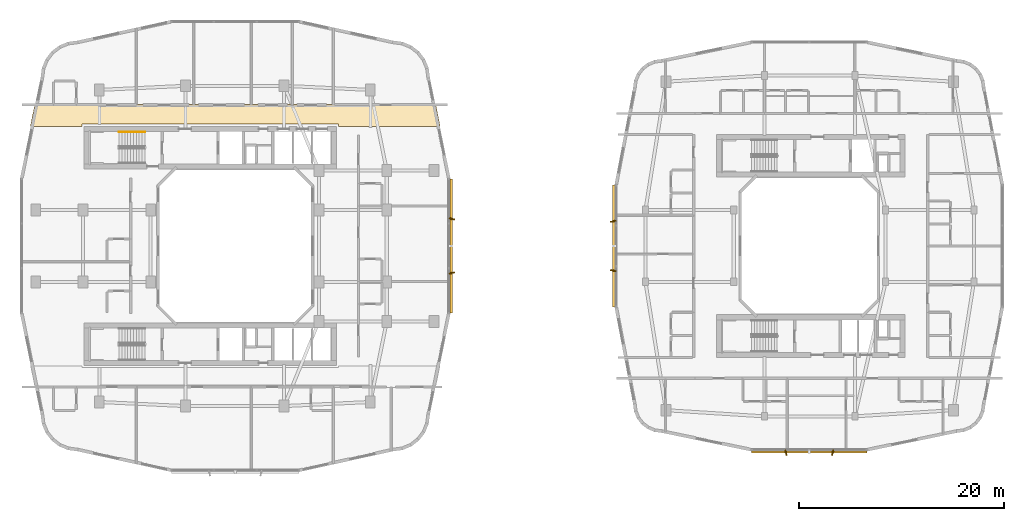
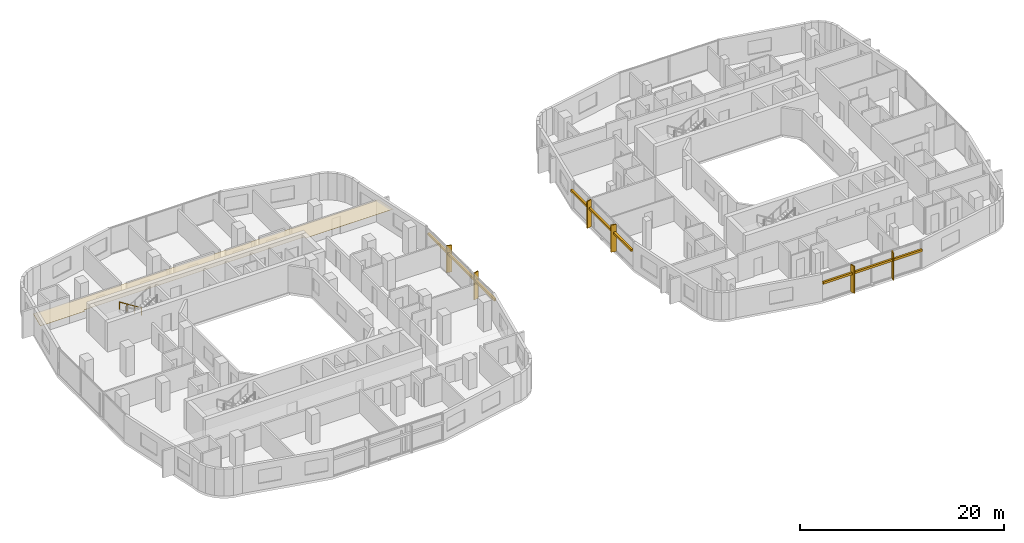
# One storey, part 26 of 27: 9 shading devices, 1 covering, 1 railing.
"""IFC4 building model written with IfcOpenShell, lengths in metres."""

from ifc_helpers import new_model, si_unit, derived_unit, direction, frame, origin, origin_2d, place, context, subcontext, project, spatial, polyline, rectangle, circle, outline, extrude, material, layer, layer_set, type_object, element, save


model = new_model("IFC4")

# Units and contexts
model_context = context("Model", 3, precision=1e-05, world=origin(), true_north=direction((0.0, 1.0)))
body_context = subcontext(model_context, "Body", "Model", "MODEL_VIEW")
ifc_project = project(units=[si_unit("LENGTHUNIT", "METRE"), si_unit("AREAUNIT", "SQUARE_METRE"), si_unit("VOLUMEUNIT", "CUBIC_METRE"), si_unit("PLANEANGLEUNIT", "RADIAN"), si_unit("MASSUNIT", "GRAM", prefix="KILO"), derived_unit("THERMALTRANSMITTANCEUNIT", [(si_unit("POWERUNIT", "WATT"), 1), (si_unit("LENGTHUNIT", "METRE"), -2), (si_unit("THERMODYNAMICTEMPERATUREUNIT", "KELVIN"), -1)])], contexts=[model_context])

# Site, building, storey
site_placement = place(None, origin())
site = spatial("IfcSite", under=ifc_project, at=site_placement, CompositionType="ELEMENT")
building_placement = place(site_placement, origin())
building = spatial("IfcBuilding", under=site, at=building_placement, Name="Kivonza Crest Hotel", CompositionType="ELEMENT")
storey_placement = place(building_placement, frame((0.0, 0.0, 76.5)))
storey = spatial("IfcBuildingStorey", under=building, at=storey_placement, Name="L20", CompositionType="ELEMENT", Elevation=76.5)

# Covering
ifc_material_1 = material(Name="Mineral-fibre acoustic ceiling tile", Category="gypsum")
ifc_layer = layer(ifc_material_1, 0.02490234375)
ifc_layer_set = layer_set([ifc_layer], Name="Mineral-fibre acoustic ceiling tile")
covering_type = type_object("IfcCoveringType", Name="CV-CEIL-ACOU", PredefinedType="CEILING", material=ifc_layer_set)
covering_placement = place(storey_placement, frame((0.0, 0.0, 2.449951171875)))
element("IfcCovering", 1, at=covering_placement, inside=storey, type_object=covering_type, Name="L20 Hotel North Guest Corridor suspended ceiling", PredefinedType="CEILING", context=body_context, shape_type="SweptSolid", body=[
    extrude(outline(polyline([(1.506103515625, 38.7900390625), (1.06396484375, 36.6201171875), (6.10009765625, 36.6201171875), (6.10009765625, 36.860107421875), (31.10009765625, 36.860107421875), (31.10009765625, 36.6201171875), (41.01611328125, 36.6201171875), (40.573974609375, 38.7900390625), (1.506103515625, 38.7900390625)])), origin(), (0.0, 0.0, 1.0), 0.025146484375),
])

# Railing
ifc_material_2 = material(Name="Brushed stainless steel handrail", Category="steel")
railing_type = type_object("IfcRailingType", Name="RL-HAND-900", PredefinedType="HANDRAIL", material=ifc_material_2)
railing_placement = place(storey_placement, frame((12.239990234375, 36.110107421875, 0.175048828125)))
element("IfcRailing", 2, at=railing_placement, inside=storey, type_object=railing_type, Name="L20 ST-T1-N stair handrail 1", PredefinedType="HANDRAIL", context=body_context, shape_type="SweptSolid", body=[
    extrude(circle(Radius=0.02392578125, at=origin_2d()), frame((0.0, 0.0, 0.8759765625), z_axis=(-0.848007534815, 0.0, 0.529984170421), x_axis=(0.0, -1.0, 0.0)), (0.0, 0.0, 1.0), 2.9716796875),
    extrude(circle(Radius=0.02099609375, at=origin_2d()), origin(), (0.0, 0.0, 1.0), 0.851806640625),
    extrude(circle(Radius=0.02099609375, at=origin_2d()), frame((-0.840087890625, 0.0, 0.52490234375)), (0.0, 0.0, 1.0), 0.851806640625),
    extrude(circle(Radius=0.02099609375, at=origin_2d()), frame((-1.679931640625, 0.0, 1.050048828125)), (0.0, 0.0, 1.0), 0.851806640625),
    extrude(circle(Radius=0.02099609375, at=origin_2d()), frame((-2.52001953125, 0.0, 1.574951171875)), (0.0, 0.0, 1.0), 0.851806640625),
])

# Shading devices
ifc_material_3 = material(Name="Kiln-fired Nairobi red-ochre terracotta", Category="masonry")
shading_device_type_1 = type_object("IfcShadingDeviceType", Name="SH-BAGUETTE-300", PredefinedType="USERDEFINED", material=ifc_material_3)
shading_device_1_placement = place(storey_placement, frame((42.080078125, 25.0, 2.1240234375), z_axis=(0.0, 0.0, 1.0), x_axis=(0.0, 1.0, 0.0)))
element("IfcShadingDevice", 3, at=shading_device_1_placement, inside=storey, type_object=shading_device_type_1, Name="L20 terracotta baguette screen CW-T1-L20-17", ObjectType="BAGUETTE", PredefinedType="USERDEFINED", context=body_context, shape_type="SweptSolid", body=[
    extrude(rectangle(XDim=13.080078125, YDim=0.219970703125, at=origin_2d()), origin(), (0.0, 0.0, 1.0), 0.260009765625),
])
shading_device_2_placement = place(storey_placement, frame((76.9599609375, 4.919921875, 2.14501953125), z_axis=(0.0, 0.0, 1.0), x_axis=(1.0, 0.0, 0.0)))
element("IfcShadingDevice", 4, at=shading_device_2_placement, inside=storey, type_object=shading_device_type_1, Name="L20 terracotta baguette screen CW-T2-L20-08", ObjectType="BAGUETTE", PredefinedType="USERDEFINED", context=body_context, shape_type="SweptSolid", body=[
    extrude(rectangle(XDim=11.256103515625, YDim=0.219970703125, at=origin_2d()), origin(), (0.0, 0.0, 1.0), 0.260009765625),
])
shading_device_3_placement = place(storey_placement, frame((57.919921875, 25.0, 2.14501953125), z_axis=(0.0, 0.0, 1.0), x_axis=(0.0, -1.0, 0.0)))
element("IfcShadingDevice", 5, at=shading_device_3_placement, inside=storey, type_object=shading_device_type_1, Name="L20 terracotta baguette screen CW-T2-L20-35", ObjectType="BAGUETTE", PredefinedType="USERDEFINED", context=body_context, shape_type="SweptSolid", body=[
    extrude(rectangle(XDim=11.8798828125, YDim=0.219970703125, at=origin_2d()), origin(), (0.0, 0.0, 1.0), 0.260009765625),
])
ifc_material_4 = material(Name="Kiln-fired terracotta over extruded aluminium spine", Category="masonry")
shading_device_type_2 = type_object("IfcShadingDeviceType", Name="SH-FIN-550", PredefinedType="USERDEFINED", material=ifc_material_4)
for number, where, z_axis, x_axis, name in (
    (6, (42.139892578125, 22.360107421875, 0.0), (0.0, 0.0, 1.0), (-0.2419218956, 0.970295726276, 0.0), "L20 vertical solar shading fin CW-T1-L20-17-1"),
    (7, (42.139892578125, 27.639892578125, 0.0), (0.0, 0.0, 1.0), (0.2419218956, 0.970295726276, 0.0), "L20 vertical solar shading fin CW-T1-L20-17-2"),
):
    element("IfcShadingDevice", number, at=place(storey_placement, frame(where, z_axis=z_axis, x_axis=x_axis)), inside=storey, type_object=shading_device_type_2, Name=name, ObjectType="FIN", PredefinedType="USERDEFINED", context=body_context, shape_type="SweptSolid", body=[
        extrude(rectangle(XDim=0.1201171875, YDim=0.550048828125, at=origin_2d()), origin(), (0.0, 0.0, 1.0), 3.219970703125),
    ])
for number, where, z_axis, x_axis, name in (
    (8, (74.68505859375, 4.860107421875, 0.0), (0.0, 0.0, 1.0), (0.970295726276, 0.2419218956, 0.0), "L20 vertical solar shading fin CW-T2-L20-08-1"),
    (9, (79.235107421875, 4.860107421875, 0.0), (0.0, 0.0, 1.0), (0.970295726276, -0.2419218956, 0.0), "L20 vertical solar shading fin CW-T2-L20-08-2"),
    (10, (57.860107421875, 27.39990234375, 0.0), (0.0, 0.0, 1.0), (0.2419218956, -0.970295726276, 0.0), "L20 vertical solar shading fin CW-T2-L20-35-1"),
    (11, (57.860107421875, 22.60009765625, 0.0), (0.0, 0.0, 1.0), (-0.2419218956, -0.970295726276, 0.0), "L20 vertical solar shading fin CW-T2-L20-35-2"),
):
    element("IfcShadingDevice", number, at=place(storey_placement, frame(where, z_axis=z_axis, x_axis=x_axis)), inside=storey, type_object=shading_device_type_2, Name=name, ObjectType="FIN", PredefinedType="USERDEFINED", context=body_context, shape_type="SweptSolid", body=[
        extrude(rectangle(XDim=0.1201171875, YDim=0.550048828125, at=origin_2d()), origin(), (0.0, 0.0, 1.0), 3.25),
    ])

save(model, "model.ifc")
